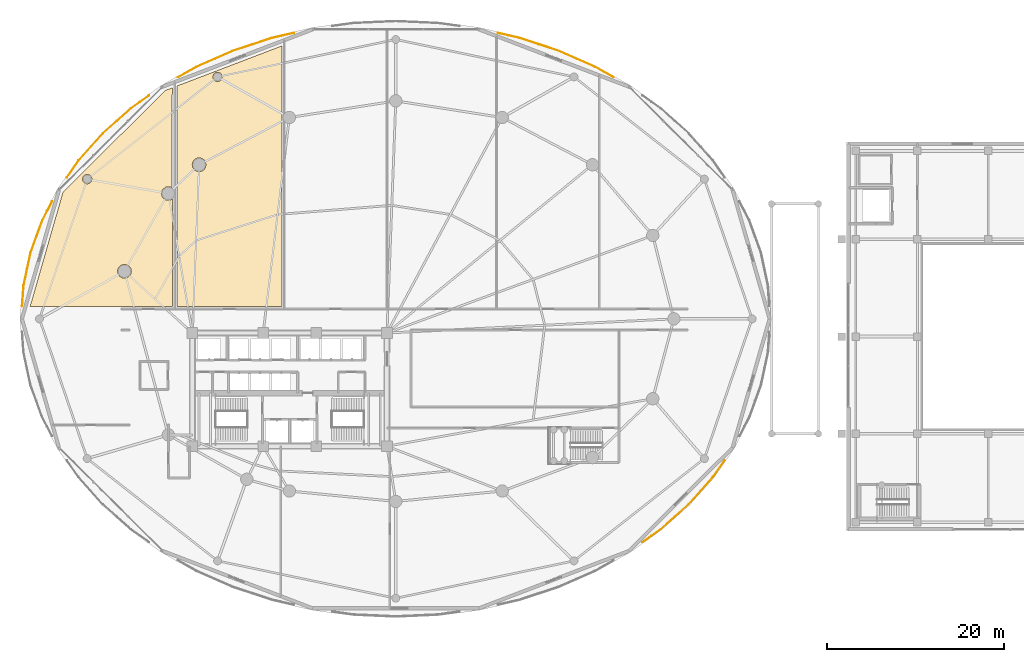
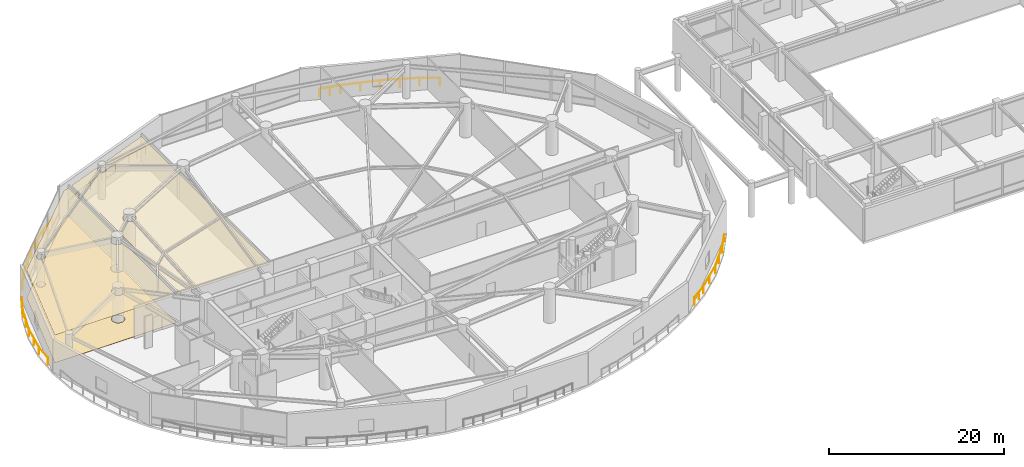
# One storey, part 37 of 40: 5 railings, 3 coverings.
"""IFC4 building model written with IfcOpenShell, lengths in metres."""

from ifc_helpers import new_model, si_unit, direction, frame, origin, origin_2d, place, context, subcontext, project, spatial, polyline, rectangle, outline, extrude, material, layer, layer_set, type_object, element, save


model = new_model("IFC4")

# Units and contexts
model_context = context("Model", 3, precision=1e-05, world=origin(), true_north=direction((0.0, 1.0)))
body_context = subcontext(model_context, "Body", "Model", "MODEL_VIEW")
ifc_project = project(units=[si_unit("LENGTHUNIT", "METRE"), si_unit("AREAUNIT", "SQUARE_METRE"), si_unit("VOLUMEUNIT", "CUBIC_METRE"), si_unit("PLANEANGLEUNIT", "RADIAN"), si_unit("MASSUNIT", "GRAM", prefix="KILO")], contexts=[model_context])

# Site, building, storey
site_placement = place(None, origin())
site = spatial("IfcSite", under=ifc_project, at=site_placement, CompositionType="ELEMENT")
building_placement = place(site_placement, origin())
building = spatial("IfcBuilding", under=site, at=building_placement, Name="Kazevale Care Tower and Concert Hall", CompositionType="ELEMENT")
storey_placement = place(building_placement, frame((0.0, 0.0, 9.60009765625)))
storey = spatial("IfcBuildingStorey", under=building, at=storey_placement, Name="L02", CompositionType="ELEMENT", Elevation=9.60009765625)

# Coverings
ifc_material_1 = material(Name="Acoustic Plaster and Hinoki Wood", Category="wood")
ifc_layer_1 = layer(ifc_material_1, 0.0400390625)
ifc_layer_set_1 = layer_set([ifc_layer_1], Name="Acoustic Plaster and Hinoki Wood")
covering_type_1 = type_object("IfcCoveringType", Name="Acoustic Perforated Wood-Gypsum Ceiling", PredefinedType="CEILING", material=ifc_layer_set_1)
covering_1_placement = place(storey_placement, frame((0.0, 0.0, 3.869873046875)))
element("IfcCovering", 1, at=covering_1_placement, inside=storey, type_object=covering_type_1, Name="clg:L02:1", PredefinedType="CEILING", context=body_context, shape_type="SweptSolid", body=[
    extrude(outline(polyline([(19.702880859375, 52.8291015625), (19.422119140625, 52.945068359375), (18.971923828125, 52.90087890625), (18.62109375, 52.613037109375), (18.489990234375, 52.179931640625), (18.62109375, 51.7470703125), (18.971923828125, 51.458984375), (19.422119140625, 51.4150390625), (19.719970703125, 51.544921875), (19.719970703125, 39.405029296875), (3.64404296875, 39.405029296875), (7.35205078125, 52.306884765625), (18.9169921875, 63.824951171875), (19.719970703125, 64.132080078125), (19.702880859375, 52.8291015625)]), holes=[polyline([(15.031005859375, 43.677978515625), (14.862060546875, 43.931884765625), (14.60791015625, 44.10107421875), (14.31005859375, 44.159912109375), (14.011962890625, 44.10107421875), (13.758056640625, 43.931884765625), (13.589111328125, 43.677978515625), (13.530029296875, 43.3798828125), (13.589111328125, 43.08203125), (13.758056640625, 42.827880859375), (14.011962890625, 42.658935546875), (14.31005859375, 42.60009765625), (14.60791015625, 42.658935546875), (14.862060546875, 42.827880859375), (15.031005859375, 43.08203125), (15.090087890625, 43.3798828125), (15.031005859375, 43.677978515625)]), polyline([(10.6201171875, 53.903076171875), (10.541015625, 54.093994140625), (10.39404296875, 54.240966796875), (10.202880859375, 54.320068359375), (9.9970703125, 54.320068359375), (9.805908203125, 54.240966796875), (9.658935546875, 54.093994140625), (9.580078125, 53.903076171875), (9.580078125, 53.697021484375), (9.658935546875, 53.506103515625), (9.805908203125, 53.35888671875), (9.9970703125, 53.280029296875), (10.202880859375, 53.280029296875), (10.39404296875, 53.35888671875), (10.541015625, 53.506103515625), (10.6201171875, 53.697021484375), (10.6201171875, 53.903076171875)])]), origin(), (0.0, 0.0, 1.0), 0.0400390625),
])
covering_2_placement = place(storey_placement, frame((0.0, 0.0, 3.869873046875)))
element("IfcCovering", 2, at=covering_2_placement, inside=storey, type_object=covering_type_1, Name="clg:L02:2", PredefinedType="CEILING", context=body_context, shape_type="SweptSolid", body=[
    extrude(outline(polyline([(32.1201171875, 68.875), (32.1201171875, 39.405029296875), (20.280029296875, 39.405029296875), (20.280029296875, 64.345947265625), (32.1201171875, 68.875)]), holes=[polyline([(23.48095703125, 55.72802734375), (23.31201171875, 55.98193359375), (23.05810546875, 56.15087890625), (22.760009765625, 56.2099609375), (22.4619140625, 56.15087890625), (22.2080078125, 55.98193359375), (22.0390625, 55.72802734375), (21.97998046875, 55.429931640625), (22.0390625, 55.132080078125), (22.2080078125, 54.8779296875), (22.4619140625, 54.708984375), (22.760009765625, 54.64990234375), (23.05810546875, 54.708984375), (23.31201171875, 54.8779296875), (23.48095703125, 55.132080078125), (23.5400390625, 55.429931640625), (23.48095703125, 55.72802734375)]), polyline([(25.3701171875, 65.472900390625), (25.291015625, 65.6640625), (25.14404296875, 65.81103515625), (24.952880859375, 65.889892578125), (24.7470703125, 65.889892578125), (24.555908203125, 65.81103515625), (24.408935546875, 65.6640625), (24.330078125, 65.472900390625), (24.330078125, 65.26708984375), (24.408935546875, 65.075927734375), (24.555908203125, 64.928955078125), (24.7470703125, 64.85009765625), (24.952880859375, 64.85009765625), (25.14404296875, 64.928955078125), (25.291015625, 65.075927734375), (25.3701171875, 65.26708984375), (25.3701171875, 65.472900390625)])]), origin(), (0.0, 0.0, 1.0), 0.0400390625),
])

# Railings
ifc_material_2 = material(Name="Anodised Bronze Aluminium and Laminated Glass", Category="aluminium")
railing_type = type_object("IfcRailingType", Name="Balcony and Terrace Balustrade 1120", PredefinedType="BALUSTRADE", material=ifc_material_2)
railing_1_placement = place(storey_placement, frame((2.742919921875, 39.4560546875, 0.0)))
element("IfcRailing", 3, at=railing_1_placement, inside=storey, type_object=railing_type, Name="rail:L02:perim:2", PredefinedType="BALUSTRADE", context=body_context, shape_type="SweptSolid", body=[
    extrude(rectangle(XDim=0.048095703125, YDim=0.048095703125, at=origin_2d()), frame((0.0, 0.0, 1.09619140625), z_axis=(0.070459951237, 0.997514609052, 0.0), x_axis=(-0.997514609052, 0.070459951237, 0.0)), (0.0, 0.0, 1.0), 2.314697265625),
    extrude(rectangle(XDim=0.048095703125, YDim=0.048095703125, at=origin_2d()), frame((0.1630859375, 2.308837890625, 1.09619140625), z_axis=(0.20907738305, 0.977899099037, 0.0), x_axis=(-0.977899099037, 0.20907738305, 0.0)), (0.0, 0.0, 1.0), 3.802001953125),
    extrude(rectangle(XDim=0.048095703125, YDim=0.048095703125, at=origin_2d()), frame((0.9580078125, 6.02685546875, 1.09619140625), z_axis=(0.340410185576, 0.940277036599, 0.0), x_axis=(-0.940277036599, 0.340410185576, 0.0)), (0.0, 0.0, 1.0), 3.854248046875),
    extrude(rectangle(XDim=0.048095703125, YDim=0.048095703125, at=origin_2d()), frame((2.27001953125, 9.65087890625, 1.09619140625), z_axis=(0.462140207553, 0.88680687219, 0.0), x_axis=(-0.88680687219, 0.462140207553, 0.0)), (0.0, 0.0, 1.0), 2.43017578125),
    extrude(rectangle(XDim=0.0419921875, YDim=0.0419921875, at=origin_2d()), origin(), (0.0, 0.0, 1.0), 1.072021484375),
    extrude(rectangle(XDim=0.0419921875, YDim=0.0419921875, at=origin_2d()), frame((0.1630859375, 2.308837890625, 0.0)), (0.0, 0.0, 1.0), 1.072021484375),
    extrude(rectangle(XDim=0.0419921875, YDim=0.0419921875, at=origin_2d()), frame((0.560546875, 4.16796875, 0.0)), (0.0, 0.0, 1.0), 1.072021484375),
    extrude(rectangle(XDim=0.0419921875, YDim=0.0419921875, at=origin_2d()), frame((0.9580078125, 6.02685546875, 0.0)), (0.0, 0.0, 1.0), 1.072021484375),
    extrude(rectangle(XDim=0.0419921875, YDim=0.0419921875, at=origin_2d()), frame((1.614013671875, 7.8388671875, 0.0)), (0.0, 0.0, 1.0), 1.072021484375),
    extrude(rectangle(XDim=0.0419921875, YDim=0.0419921875, at=origin_2d()), frame((2.27001953125, 9.65087890625, 0.0)), (0.0, 0.0, 1.0), 1.072021484375),
    extrude(rectangle(XDim=0.0419921875, YDim=0.0419921875, at=origin_2d()), frame((2.83154296875, 10.728515625, 0.0)), (0.0, 0.0, 1.0), 1.072021484375),
    extrude(rectangle(XDim=0.0419921875, YDim=0.0419921875, at=origin_2d()), frame((3.39306640625, 11.805908203125, 0.0)), (0.0, 0.0, 1.0), 1.072021484375),
])
railing_2_placement = place(storey_placement, frame((7.81201171875, 54.008056640625, 0.0)))
element("IfcRailing", 4, at=railing_2_placement, inside=storey, type_object=railing_type, Name="rail:L02:perim:3", PredefinedType="BALUSTRADE", context=body_context, shape_type="SweptSolid", body=[
    extrude(rectangle(XDim=0.048095703125, YDim=0.048095703125, at=origin_2d()), frame((0.0, 0.0, 1.09619140625), z_axis=(0.570672394322, 0.821177823835, 0.0), x_axis=(-0.821177823835, 0.570672394322, 0.0)), (0.0, 0.0, 1.0), 2.299072265625),
    extrude(rectangle(XDim=0.048095703125, YDim=0.048095703125, at=origin_2d()), frame((1.31201171875, 1.887939453125, 1.09619140625), z_axis=(0.665728837253, 0.746193751816, 0.0), x_axis=(-0.746193751816, 0.665728837253, 0.0)), (0.0, 0.0, 1.0), 4.12646484375),
    extrude(rectangle(XDim=0.048095703125, YDim=0.048095703125, at=origin_2d()), frame((4.05908203125, 4.967041015625, 1.09619140625), z_axis=(0.746983011463, 0.664843124794, 0.0), x_axis=(-0.664843124794, 0.746983011463, 0.0)), (0.0, 0.0, 1.0), 4.2353515625),
    extrude(rectangle(XDim=0.048095703125, YDim=0.048095703125, at=origin_2d()), frame((7.222900390625, 7.782958984375, 1.09619140625), z_axis=(0.815188786096, 0.579195340989, 0.0), x_axis=(-0.579195340989, 0.815188786096, 0.0)), (0.0, 0.0, 1.0), 2.53466796875),
    extrude(rectangle(XDim=0.0419921875, YDim=0.0419921875, at=origin_2d()), origin(), (0.0, 0.0, 1.0), 1.072021484375),
    extrude(rectangle(XDim=0.0419921875, YDim=0.0419921875, at=origin_2d()), frame((1.31201171875, 1.887939453125, 0.0)), (0.0, 0.0, 1.0), 1.072021484375),
    extrude(rectangle(XDim=0.0419921875, YDim=0.0419921875, at=origin_2d()), frame((2.685546875, 3.427490234375, 0.0)), (0.0, 0.0, 1.0), 1.072021484375),
    extrude(rectangle(XDim=0.0419921875, YDim=0.0419921875, at=origin_2d()), frame((4.05908203125, 4.967041015625, 0.0)), (0.0, 0.0, 1.0), 1.072021484375),
    extrude(rectangle(XDim=0.0419921875, YDim=0.0419921875, at=origin_2d()), frame((5.64111328125, 6.375, 0.0)), (0.0, 0.0, 1.0), 1.072021484375),
    extrude(rectangle(XDim=0.0419921875, YDim=0.0419921875, at=origin_2d()), frame((7.222900390625, 7.782958984375, 0.0)), (0.0, 0.0, 1.0), 1.072021484375),
    extrude(rectangle(XDim=0.0419921875, YDim=0.0419921875, at=origin_2d()), frame((8.255859375, 8.51708984375, 0.0)), (0.0, 0.0, 1.0), 1.072021484375),
    extrude(rectangle(XDim=0.0419921875, YDim=0.0419921875, at=origin_2d()), frame((9.2890625, 9.2509765625, 0.0)), (0.0, 0.0, 1.0), 1.072021484375),
])
railing_3_placement = place(storey_placement, frame((20.388916015625, 65.330078125, 0.0)))
element("IfcRailing", 5, at=railing_3_placement, inside=storey, type_object=railing_type, Name="rail:L02:perim:6", PredefinedType="BALUSTRADE", context=body_context, shape_type="SweptSolid", body=[
    extrude(rectangle(XDim=0.048095703125, YDim=0.048095703125, at=origin_2d()), frame((0.0, 0.0, 1.09619140625), z_axis=(0.870864175029, 0.491523741696, 0.0), x_axis=(-0.491523741696, 0.870864175029, 0.0)), (0.0, 0.0, 1.0), 2.36767578125),
    extrude(rectangle(XDim=0.048095703125, YDim=0.048095703125, at=origin_2d()), frame((2.06201171875, 1.163818359375, 1.09619140625), z_axis=(0.915470269762, 0.402385617514, 0.0), x_axis=(-0.402385617514, 0.915470269762, 0.0)), (0.0, 0.0, 1.0), 4.543212890625),
    extrude(rectangle(XDim=0.048095703125, YDim=0.048095703125, at=origin_2d()), frame((6.22119140625, 2.991943359375, 1.09619140625), z_axis=(0.949817857606, 0.312803512405, 0.0), x_axis=(-0.312803512405, 0.949817857606, 0.0)), (0.0, 0.0, 1.0), 4.622802734375),
    extrude(rectangle(XDim=0.048095703125, YDim=0.048095703125, at=origin_2d()), frame((10.612060546875, 4.43798828125, 1.09619140625), z_axis=(0.974740171393, 0.223341886518, 0.0), x_axis=(-0.223341886518, 0.974740171393, 0.0)), (0.0, 0.0, 1.0), 2.538330078125),
    extrude(rectangle(XDim=0.0419921875, YDim=0.0419921875, at=origin_2d()), origin(), (0.0, 0.0, 1.0), 1.072021484375),
    extrude(rectangle(XDim=0.0419921875, YDim=0.0419921875, at=origin_2d()), frame((2.06201171875, 1.163818359375, 0.0)), (0.0, 0.0, 1.0), 1.072021484375),
    extrude(rectangle(XDim=0.0419921875, YDim=0.0419921875, at=origin_2d()), frame((4.1416015625, 2.077880859375, 0.0)), (0.0, 0.0, 1.0), 1.072021484375),
    extrude(rectangle(XDim=0.0419921875, YDim=0.0419921875, at=origin_2d()), frame((6.22119140625, 2.991943359375, 0.0)), (0.0, 0.0, 1.0), 1.072021484375),
    extrude(rectangle(XDim=0.0419921875, YDim=0.0419921875, at=origin_2d()), frame((8.41650390625, 3.71484375, 0.0)), (0.0, 0.0, 1.0), 1.072021484375),
    extrude(rectangle(XDim=0.0419921875, YDim=0.0419921875, at=origin_2d()), frame((10.612060546875, 4.43798828125, 0.0)), (0.0, 0.0, 1.0), 1.072021484375),
    extrude(rectangle(XDim=0.0419921875, YDim=0.0419921875, at=origin_2d()), frame((11.84912109375, 4.721435546875, 0.0)), (0.0, 0.0, 1.0), 1.072021484375),
    extrude(rectangle(XDim=0.0419921875, YDim=0.0419921875, at=origin_2d()), frame((13.086181640625, 5.0048828125, 0.0)), (0.0, 0.0, 1.0), 1.072021484375),
])
railing_4_placement = place(storey_placement, frame((56.52490234375, 70.3349609375, 0.0)))
element("IfcRailing", 6, at=railing_4_placement, inside=storey, type_object=railing_type, Name="rail:L02:perim:10", PredefinedType="BALUSTRADE", context=body_context, shape_type="SweptSolid", body=[
    extrude(rectangle(XDim=0.048095703125, YDim=0.048095703125, at=origin_2d()), frame((0.0, 0.0, 1.09619140625), z_axis=(0.974740171393, -0.223341886518, 0.0), x_axis=(0.223341886518, 0.974740171393, 0.0)), (0.0, 0.0, 1.0), 2.538330078125),
    extrude(rectangle(XDim=0.048095703125, YDim=0.048095703125, at=origin_2d()), frame((2.47412109375, -0.56689453125, 1.09619140625), z_axis=(0.949817857606, -0.312803512405, 0.0), x_axis=(0.312803512405, 0.949817857606, 0.0)), (0.0, 0.0, 1.0), 4.622802734375),
    extrude(rectangle(XDim=0.048095703125, YDim=0.048095703125, at=origin_2d()), frame((6.864990234375, -2.012939453125, 1.09619140625), z_axis=(0.915470269762, -0.402385617514, 0.0), x_axis=(0.402385617514, 0.915470269762, 0.0)), (0.0, 0.0, 1.0), 4.543212890625),
    extrude(rectangle(XDim=0.048095703125, YDim=0.048095703125, at=origin_2d()), frame((11.024169921875, -3.841064453125, 1.09619140625), z_axis=(0.870864175029, -0.491523741696, 0.0), x_axis=(0.491523741696, 0.870864175029, 0.0)), (0.0, 0.0, 1.0), 2.36767578125),
    extrude(rectangle(XDim=0.0419921875, YDim=0.0419921875, at=origin_2d()), origin(), (0.0, 0.0, 1.0), 1.072021484375),
    extrude(rectangle(XDim=0.0419921875, YDim=0.0419921875, at=origin_2d()), frame((1.237060546875, -0.283447265625, 0.0)), (0.0, 0.0, 1.0), 1.072021484375),
    extrude(rectangle(XDim=0.0419921875, YDim=0.0419921875, at=origin_2d()), frame((2.47412109375, -0.56689453125, 0.0)), (0.0, 0.0, 1.0), 1.072021484375),
    extrude(rectangle(XDim=0.0419921875, YDim=0.0419921875, at=origin_2d()), frame((4.66943359375, -1.2900390625, 0.0)), (0.0, 0.0, 1.0), 1.072021484375),
    extrude(rectangle(XDim=0.0419921875, YDim=0.0419921875, at=origin_2d()), frame((6.864990234375, -2.012939453125, 0.0)), (0.0, 0.0, 1.0), 1.072021484375),
    extrude(rectangle(XDim=0.0419921875, YDim=0.0419921875, at=origin_2d()), frame((8.944580078125, -2.927001953125, 0.0)), (0.0, 0.0, 1.0), 1.072021484375),
    extrude(rectangle(XDim=0.0419921875, YDim=0.0419921875, at=origin_2d()), frame((11.024169921875, -3.841064453125, 0.0)), (0.0, 0.0, 1.0), 1.072021484375),
    extrude(rectangle(XDim=0.0419921875, YDim=0.0419921875, at=origin_2d()), frame((13.086181640625, -5.0048828125, 0.0)), (0.0, 0.0, 1.0), 1.072021484375),
])
railing_5_placement = place(storey_placement, frame((82.18798828125, 21.991943359375, 0.0)))
element("IfcRailing", 7, at=railing_5_placement, inside=storey, type_object=railing_type, Name="rail:L02:perim:11", PredefinedType="BALUSTRADE", context=body_context, shape_type="SweptSolid", body=[
    extrude(rectangle(XDim=0.048095703125, YDim=0.048095703125, at=origin_2d()), frame((0.0, 0.0, 1.09619140625), z_axis=(-0.570672394322, -0.821177823835, 0.0), x_axis=(0.821177823835, -0.570672394322, 0.0)), (0.0, 0.0, 1.0), 2.299072265625),
    extrude(rectangle(XDim=0.048095703125, YDim=0.048095703125, at=origin_2d()), frame((-1.31201171875, -1.887939453125, 1.09619140625), z_axis=(-0.665728837253, -0.746193751816, 0.0), x_axis=(0.746193751816, -0.665728837253, 0.0)), (0.0, 0.0, 1.0), 4.12646484375),
    extrude(rectangle(XDim=0.048095703125, YDim=0.048095703125, at=origin_2d()), frame((-4.05908203125, -4.967041015625, 1.09619140625), z_axis=(-0.746983011463, -0.664843124794, 0.0), x_axis=(0.664843124794, -0.746983011463, 0.0)), (0.0, 0.0, 1.0), 4.2353515625),
    extrude(rectangle(XDim=0.048095703125, YDim=0.048095703125, at=origin_2d()), frame((-7.222900390625, -7.782958984375, 1.09619140625), z_axis=(-0.815188786096, -0.579195340989, 0.0), x_axis=(0.579195340989, -0.815188786096, 0.0)), (0.0, 0.0, 1.0), 2.53466796875),
    extrude(rectangle(XDim=0.0419921875, YDim=0.0419921875, at=origin_2d()), origin(), (0.0, 0.0, 1.0), 1.072021484375),
    extrude(rectangle(XDim=0.0419921875, YDim=0.0419921875, at=origin_2d()), frame((-1.31201171875, -1.887939453125, 0.0)), (0.0, 0.0, 1.0), 1.072021484375),
    extrude(rectangle(XDim=0.0419921875, YDim=0.0419921875, at=origin_2d()), frame((-2.685546875, -3.427490234375, 0.0)), (0.0, 0.0, 1.0), 1.072021484375),
    extrude(rectangle(XDim=0.0419921875, YDim=0.0419921875, at=origin_2d()), frame((-4.05908203125, -4.967041015625, 0.0)), (0.0, 0.0, 1.0), 1.072021484375),
    extrude(rectangle(XDim=0.0419921875, YDim=0.0419921875, at=origin_2d()), frame((-5.64111328125, -6.375, 0.0)), (0.0, 0.0, 1.0), 1.072021484375),
    extrude(rectangle(XDim=0.0419921875, YDim=0.0419921875, at=origin_2d()), frame((-7.222900390625, -7.782958984375, 0.0)), (0.0, 0.0, 1.0), 1.072021484375),
    extrude(rectangle(XDim=0.0419921875, YDim=0.0419921875, at=origin_2d()), frame((-8.255859375, -8.51708984375, 0.0)), (0.0, 0.0, 1.0), 1.072021484375),
    extrude(rectangle(XDim=0.0419921875, YDim=0.0419921875, at=origin_2d()), frame((-9.2890625, -9.2509765625, 0.0)), (0.0, 0.0, 1.0), 1.072021484375),
])

# Covering
ifc_material_3 = material(Name="Honed Ochre Limestone", Category="masonry")
ifc_layer_2 = layer(ifc_material_3, 0.02001953125)
ifc_layer_set_2 = layer_set([ifc_layer_2], Name="Honed Ochre Limestone")
covering_type_2 = type_object("IfcCoveringType", Name="Slip-Resistant Resilient Care Flooring", PredefinedType="FLOORING", material=ifc_layer_set_2)
covering_3_placement = place(storey_placement, origin())
element("IfcCovering", 8, at=covering_3_placement, inside=storey, type_object=covering_type_2, Name="flr:L02:1", PredefinedType="FLOORING", context=body_context, shape_type="SweptSolid", body=[
    extrude(outline(polyline([(19.702880859375, 52.8291015625), (19.422119140625, 52.945068359375), (18.971923828125, 52.90087890625), (18.62109375, 52.613037109375), (18.489990234375, 52.179931640625), (18.62109375, 51.7470703125), (18.971923828125, 51.458984375), (19.422119140625, 51.4150390625), (19.719970703125, 51.544921875), (19.719970703125, 39.405029296875), (3.64404296875, 39.405029296875), (7.35205078125, 52.306884765625), (18.9169921875, 63.824951171875), (19.719970703125, 64.132080078125), (19.702880859375, 52.8291015625)]), holes=[polyline([(15.031005859375, 43.677978515625), (14.862060546875, 43.931884765625), (14.60791015625, 44.10107421875), (14.31005859375, 44.159912109375), (14.011962890625, 44.10107421875), (13.758056640625, 43.931884765625), (13.589111328125, 43.677978515625), (13.530029296875, 43.3798828125), (13.589111328125, 43.08203125), (13.758056640625, 42.827880859375), (14.011962890625, 42.658935546875), (14.31005859375, 42.60009765625), (14.60791015625, 42.658935546875), (14.862060546875, 42.827880859375), (15.031005859375, 43.08203125), (15.090087890625, 43.3798828125), (15.031005859375, 43.677978515625)]), polyline([(10.6201171875, 53.903076171875), (10.541015625, 54.093994140625), (10.39404296875, 54.240966796875), (10.202880859375, 54.320068359375), (9.9970703125, 54.320068359375), (9.805908203125, 54.240966796875), (9.658935546875, 54.093994140625), (9.580078125, 53.903076171875), (9.580078125, 53.697021484375), (9.658935546875, 53.506103515625), (9.805908203125, 53.35888671875), (9.9970703125, 53.280029296875), (10.202880859375, 53.280029296875), (10.39404296875, 53.35888671875), (10.541015625, 53.506103515625), (10.6201171875, 53.697021484375), (10.6201171875, 53.903076171875)])]), origin(), (0.0, 0.0, 1.0), 0.02001953125),
])

save(model, "model.ifc")
